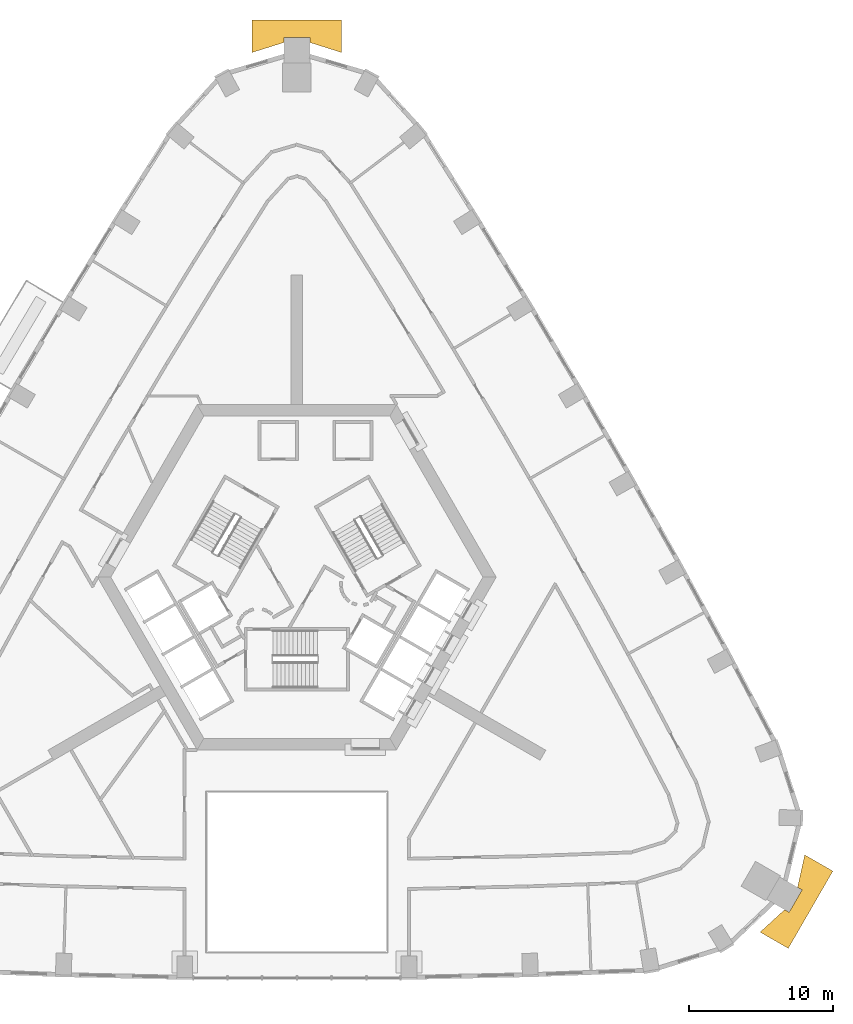
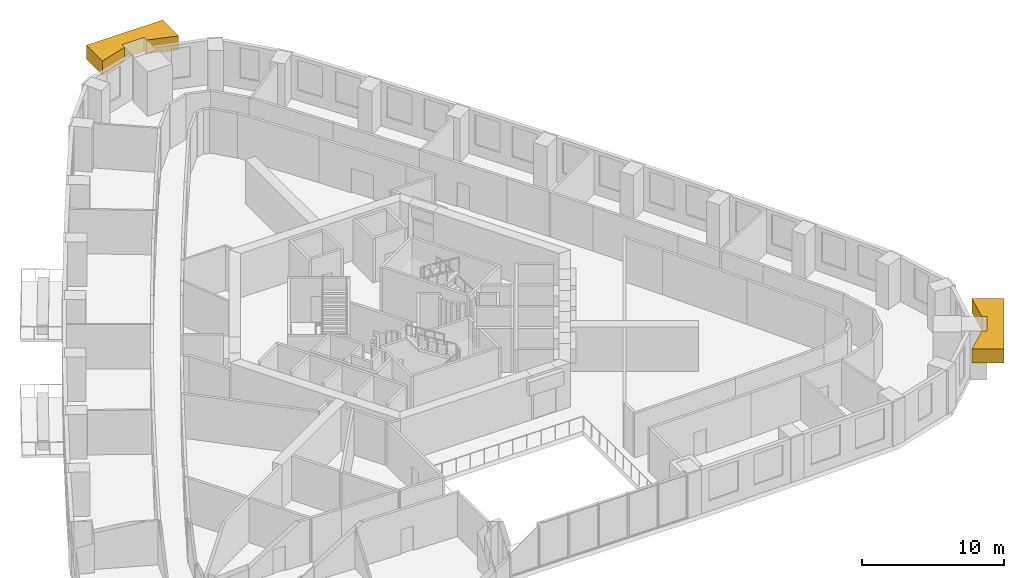
# One storey, part 15 of 15: 2 coverings.
"""IFC4 building model written with IfcOpenShell, lengths in metres."""

from ifc_helpers import new_model, si_unit, direction, frame, origin, place, context, subcontext, project, spatial, polyline, outline, extrude, material, type_object, element, save


model = new_model("IFC4")

# Units and contexts
model_context = context("Model", 3, precision=1e-05, world=origin(), true_north=direction((0.0, 1.0)))
body_context = subcontext(model_context, "Body", "Model", "MODEL_VIEW")
ifc_project = project(units=[si_unit("LENGTHUNIT", "METRE"), si_unit("AREAUNIT", "SQUARE_METRE"), si_unit("VOLUMEUNIT", "CUBIC_METRE"), si_unit("PLANEANGLEUNIT", "RADIAN"), si_unit("MASSUNIT", "GRAM", prefix="KILO")], contexts=[model_context])

# Site, building, storey
site_placement = place(None, origin())
site = spatial("IfcSite", under=ifc_project, at=site_placement, CompositionType="ELEMENT")
building_placement = place(site_placement, origin())
building = spatial("IfcBuilding", under=site, at=building_placement, Name="Entoto Arch Interchange Tower", CompositionType="ELEMENT")
storey_placement = place(building_placement, frame((0.0, 0.0, 171.800048828125)))
storey = spatial("IfcBuildingStorey", under=building, at=storey_placement, Name="L38", CompositionType="ELEMENT", Elevation=171.800048828125)

# Coverings
ifc_material = material(Name="Board-marked precast concrete C50/60", Category="concrete")
covering_type = type_object("IfcCoveringType", Name="PRECAST FRAME COURSE", PredefinedType="CLADDING", material=ifc_material)
covering_1_placement = place(storey_placement, frame((0.0, 0.0, 2.599853515625)))
element("IfcCovering", 1, at=covering_1_placement, inside=storey, type_object=covering_type, Name="Corner pilaster head SE L36-L38", PredefinedType="CLADDING", context=body_context, shape_type="SweptSolid", body=[
    extrude(outline(polyline([(37.258056640625, -17.929931640625), (34.157958984375, -23.300048828125), (32.201904296875, -22.1708984375), (33.903076171875, -20.612060546875), (34.218017578125, -20.7939453125), (35.117919921875, -19.236083984375), (34.802978515625, -19.053955078125), (35.302001953125, -16.801025390625), (37.258056640625, -17.929931640625)])), origin(), (0.0, 0.0, 1.0), 1.2001953125),
])
covering_2_placement = place(storey_placement, frame((0.0, 0.0, 2.599853515625)))
element("IfcCovering", 2, at=covering_2_placement, inside=storey, type_object=covering_type, Name="Corner pilaster head N L36-L38", PredefinedType="CLADDING", context=body_context, shape_type="SweptSolid", body=[
    extrude(outline(polyline([(-3.10009765625, 41.23095703125), (3.10009765625, 41.23095703125), (3.10009765625, 38.972900390625), (0.89990234375, 39.6669921875), (0.89990234375, 40.031005859375), (-0.89990234375, 40.031005859375), (-0.89990234375, 39.6669921875), (-3.10009765625, 38.972900390625), (-3.10009765625, 41.23095703125)])), origin(), (0.0, 0.0, 1.0), 1.2001953125),
])

save(model, "model.ifc")
